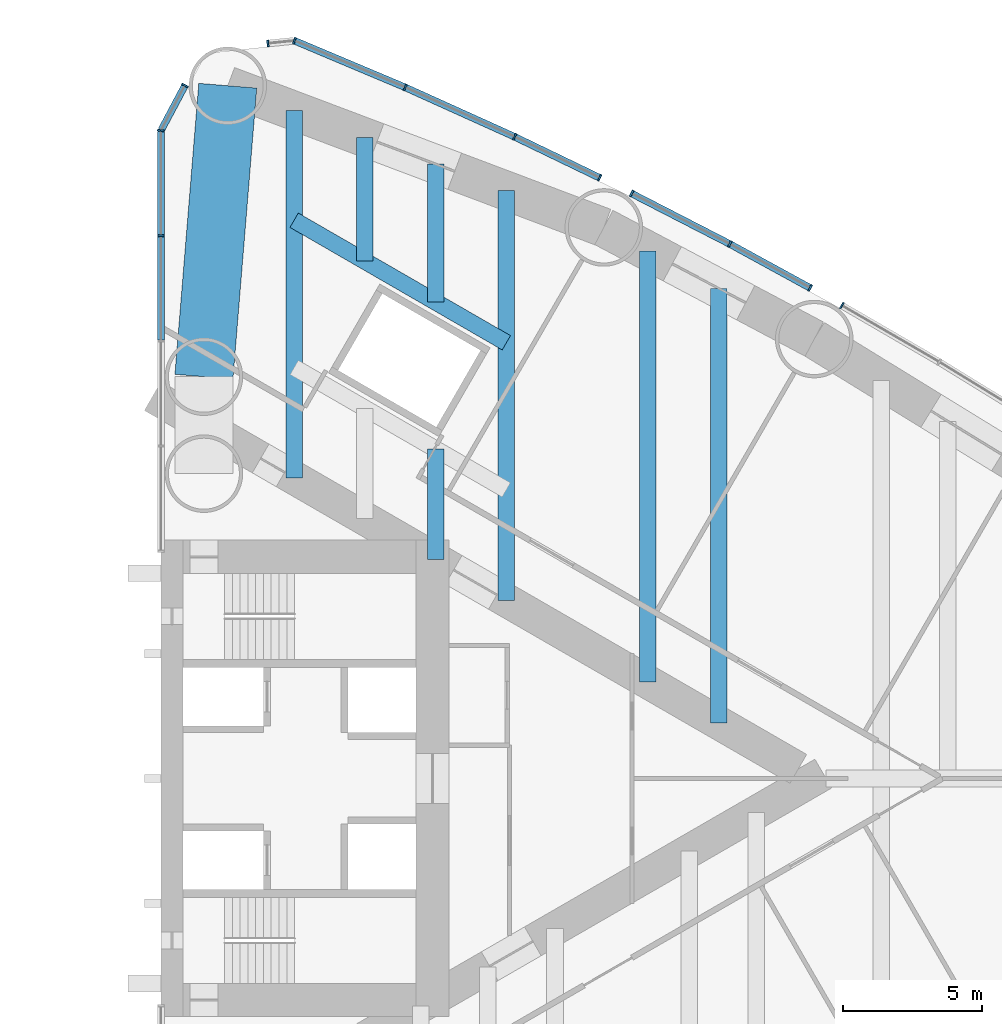
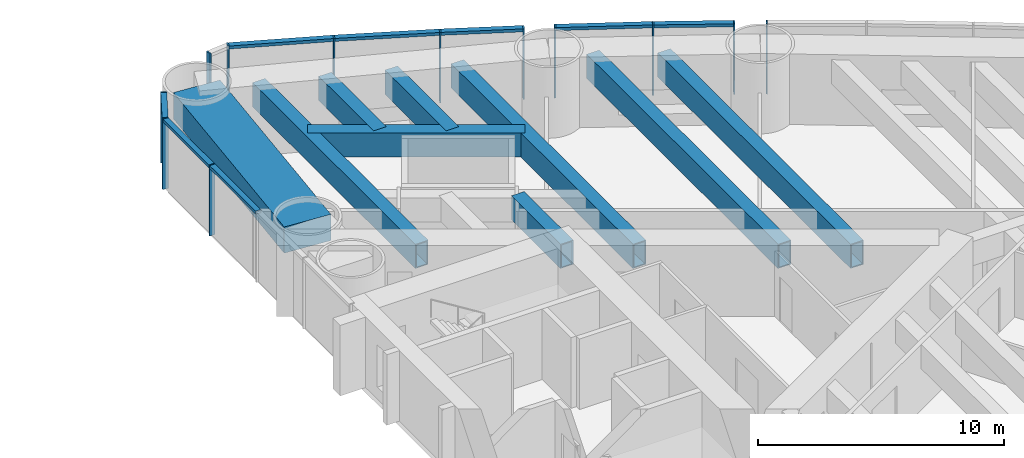
# One storey, part 7 of 20: 20 members, 9 beams, 4 elements without a shape of their own.
"""IFC4 building model written with IfcOpenShell, lengths in metres."""

from ifc_helpers import new_model, si_unit, direction, frame, origin, origin_2d, place, context, subcontext, project, spatial, rectangle, hollow_rectangle, extrude, material, material_profile, profile_set, type_object, element, aggregate, save


model = new_model("IFC4")

# Units and contexts
model_context = context("Model", 3, precision=1e-05, world=origin(), true_north=direction((0.0, 1.0)))
body_context = subcontext(model_context, "Body", "Model", "MODEL_VIEW")
ifc_project = project(units=[si_unit("LENGTHUNIT", "METRE"), si_unit("AREAUNIT", "SQUARE_METRE"), si_unit("VOLUMEUNIT", "CUBIC_METRE"), si_unit("PLANEANGLEUNIT", "RADIAN"), si_unit("MASSUNIT", "GRAM", prefix="KILO")], contexts=[model_context])

# Site, building, storey
site_placement = place(None, origin())
site = spatial("IfcSite", under=ifc_project, at=site_placement, CompositionType="ELEMENT")
building_placement = place(site_placement, origin())
building = spatial("IfcBuilding", under=site, at=building_placement, Name="Lancet Gate Hotel", CompositionType="ELEMENT")
storey_placement = place(building_placement, frame((0.0, 0.0, 77.5)))
storey = spatial("IfcBuildingStorey", under=building, at=storey_placement, Name="L20", CompositionType="ELEMENT", Elevation=77.5)

# Curtain wall, member
ifc_material_1 = material(Name="Aluminium curtain wall", Category="aluminium")
curtain_wall_type = type_object("IfcCurtainWallType", Name="Tower unitised curtain wall", PredefinedType="USERDEFINED", material=ifc_material_1)
curtain_wall_1_placement = place(storey_placement, origin())
curtain_wall_1 = element("IfcCurtainWall", 1, at=curtain_wall_1_placement, inside=storey, type_object=curtain_wall_type, Name="T2 L20 curtain wall 7", ObjectType="UNITISED CURTAIN WALL", PredefinedType="USERDEFINED")
ifc_material_2 = material(Name="Aluminium mullion", Category="aluminium")
ifc_material_profile_1 = material_profile(ifc_material_2, rectangle(XDim=0.06494140625, YDim=0.25, at=origin_2d()), Name="MULLION 65x250")
ifc_profile_set_1 = profile_set([ifc_material_profile_1], Name="Aluminium mullion")
member_type_1 = type_object("IfcMemberType", Name="Aluminium mullion 65x250", PredefinedType="MULLION", material=ifc_profile_set_1)
member_1_placement = place(storey_placement, frame((52.077392578125, 17.070068359375, 0.0), z_axis=(0.0, 0.0, 1.0), x_axis=(-0.864871773788, 0.501992843479, 0.0)))
member_1 = element("IfcMember", 2, at=member_1_placement, type_object=member_type_1, Name="T2 L20 curtain wall 7 mullion 4", PredefinedType="MULLION", context=body_context, shape_type="SweptSolid", body=[
    extrude(rectangle(XDim=0.06494140625, YDim=0.25, at=origin_2d()), origin(), (0.0, 0.0, 1.0), 3.5),
])
aggregate(curtain_wall_1, [member_1])

# Curtain wall, members
curtain_wall_2_placement = place(storey_placement, origin())
curtain_wall_2 = element("IfcCurtainWall", 3, at=curtain_wall_2_placement, inside=storey, type_object=curtain_wall_type, Name="T2 L20 curtain wall 8", ObjectType="UNITISED CURTAIN WALL", PredefinedType="USERDEFINED")
member_2_placement = place(storey_placement, frame((50.929931640625, 17.70556640625, 0.0), z_axis=(0.0, 0.0, 1.0), x_axis=(-0.877368015134, 0.47981805512, 0.0)))
member_2 = element("IfcMember", 4, at=member_2_placement, type_object=member_type_1, Name="T2 L20 curtain wall 8 mullion 1", PredefinedType="MULLION", context=body_context, shape_type="SweptSolid", body=[
    extrude(rectangle(XDim=0.06494140625, YDim=0.25, at=origin_2d()), origin(), (0.0, 0.0, 1.0), 3.5),
])
member_3_placement = place(storey_placement, frame((48.03271484375, 19.2900390625, 0.0), z_axis=(0.0, 0.0, 1.0), x_axis=(-0.883962982185, 0.467556890791, 0.0)))
member_3 = element("IfcMember", 5, at=member_3_placement, type_object=member_type_1, Name="T2 L20 curtain wall 8 mullion 2", PredefinedType="MULLION", context=body_context, shape_type="SweptSolid", body=[
    extrude(rectangle(XDim=0.06494140625, YDim=0.25, at=origin_2d()), origin(), (0.0, 0.0, 1.0), 3.5),
])
member_4_placement = place(storey_placement, frame((44.487548828125, 21.11328125, 0.0), z_axis=(0.0, 0.0, 1.0), x_axis=(-0.889295829671, 0.457332403541, 0.0)))
member_4 = element("IfcMember", 6, at=member_4_placement, type_object=member_type_1, Name="T2 L20 curtain wall 8 mullion 3", PredefinedType="MULLION", context=body_context, shape_type="SweptSolid", body=[
    extrude(rectangle(XDim=0.06494140625, YDim=0.25, at=origin_2d()), origin(), (0.0, 0.0, 1.0), 3.5),
])

curtain_wall_3_placement = place(storey_placement, origin())
curtain_wall_3 = element("IfcCurtainWall", 7, at=curtain_wall_3_placement, inside=storey, type_object=curtain_wall_type, Name="T2 L20 curtain wall 9", ObjectType="UNITISED CURTAIN WALL", PredefinedType="USERDEFINED")
member_5_placement = place(storey_placement, frame((43.33203125, 21.6806640625, 0.0), z_axis=(0.0, 0.0, 1.0), x_axis=(-0.90064748964, 0.434550456686, 0.0)))
member_5 = element("IfcMember", 8, at=member_5_placement, type_object=member_type_1, Name="T2 L20 curtain wall 9 mullion 1", PredefinedType="MULLION", context=body_context, shape_type="SweptSolid", body=[
    extrude(rectangle(XDim=0.06494140625, YDim=0.25, at=origin_2d()), origin(), (0.0, 0.0, 1.0), 3.5),
])
member_6_placement = place(storey_placement, frame((40.2685546875, 23.15869140625, 0.0), z_axis=(0.0, 0.0, 1.0), x_axis=(-0.906755286651, 0.421657266189, 0.0)))
member_6 = element("IfcMember", 9, at=member_6_placement, type_object=member_type_1, Name="T2 L20 curtain wall 9 mullion 2", PredefinedType="MULLION", context=body_context, shape_type="SweptSolid", body=[
    extrude(rectangle(XDim=0.06494140625, YDim=0.25, at=origin_2d()), origin(), (0.0, 0.0, 1.0), 3.5),
])
member_7_placement = place(storey_placement, frame((36.31494140625, 24.943603515625, 0.0), z_axis=(0.0, 0.0, 1.0), x_axis=(-0.916578705089, 0.399854320193, 0.0)))
member_7 = element("IfcMember", 10, at=member_7_placement, type_object=member_type_1, Name="T2 L20 curtain wall 9 mullion 3", PredefinedType="MULLION", context=body_context, shape_type="SweptSolid", body=[
    extrude(rectangle(XDim=0.06494140625, YDim=0.25, at=origin_2d()), origin(), (0.0, 0.0, 1.0), 3.5),
])
member_8_placement = place(storey_placement, frame((32.3173828125, 26.62744140625, 0.0), z_axis=(0.0, 0.0, 1.0), x_axis=(-0.952473373857, 0.304621850979, 0.0)))
member_8 = element("IfcMember", 11, at=member_8_placement, type_object=member_type_1, Name="T2 L20 curtain wall 9 mullion 4", PredefinedType="MULLION", context=body_context, shape_type="SweptSolid", body=[
    extrude(rectangle(XDim=0.06494140625, YDim=0.25, at=origin_2d()), origin(), (0.0, 0.0, 1.0), 3.5),
])
member_9_placement = place(storey_placement, frame((31.360595703125, 26.5283203125, 0.0), z_axis=(0.0, 0.0, 1.0), x_axis=(-0.994672262412, -0.10308778001, 0.0)))
member_9 = element("IfcMember", 12, at=member_9_placement, type_object=member_type_1, Name="T2 L20 curtain wall 9 mullion 5", PredefinedType="MULLION", context=body_context, shape_type="SweptSolid", body=[
    extrude(rectangle(XDim=0.06494140625, YDim=0.25, at=origin_2d()), origin(), (0.0, 0.0, 1.0), 3.5),
])

curtain_wall_4_placement = place(storey_placement, origin())
curtain_wall_4 = element("IfcCurtainWall", 13, at=curtain_wall_4_placement, inside=storey, type_object=curtain_wall_type, Name="T2 L20 curtain wall 10", ObjectType="UNITISED CURTAIN WALL", PredefinedType="USERDEFINED")
member_10_placement = place(storey_placement, frame((28.365234375, 25.010009765625, 0.0), z_axis=(0.0, 0.0, 1.0), x_axis=(-0.469897827284, -0.882720811987, 0.0)))
member_10 = element("IfcMember", 14, at=member_10_placement, type_object=member_type_1, Name="T2 L20 curtain wall 10 mullion 1", PredefinedType="MULLION", context=body_context, shape_type="SweptSolid", body=[
    extrude(rectangle(XDim=0.06494140625, YDim=0.25, at=origin_2d()), origin(), (0.0, 0.0, 1.0), 3.5),
])
member_11_placement = place(storey_placement, frame((27.5, 23.384765625, 0.0), z_axis=(0.0, 0.0, 1.0), x_axis=(-0.157592513508, -0.98750422768, 0.0)))
member_11 = element("IfcMember", 15, at=member_11_placement, type_object=member_type_1, Name="T2 L20 curtain wall 10 mullion 2", PredefinedType="MULLION", context=body_context, shape_type="SweptSolid", body=[
    extrude(rectangle(XDim=0.06494140625, YDim=0.25, at=origin_2d()), origin(), (0.0, 0.0, 1.0), 3.5),
])
member_12_placement = place(storey_placement, frame((27.5, 19.588623046875, 0.0), z_axis=(0.0, 0.0, 1.0), x_axis=(0.0, -1.0, 0.0)))
member_12 = element("IfcMember", 16, at=member_12_placement, type_object=member_type_1, Name="T2 L20 curtain wall 10 mullion 3", PredefinedType="MULLION", context=body_context, shape_type="SweptSolid", body=[
    extrude(rectangle(XDim=0.06494140625, YDim=0.25, at=origin_2d()), origin(), (0.0, 0.0, 1.0), 3.5),
])

# Member
ifc_material_3 = material(Name="Aluminium transom", Category="aluminium")
ifc_material_profile_2 = material_profile(ifc_material_3, rectangle(XDim=0.25, YDim=0.14990234375, at=origin_2d()), Name="TRANSOM 250x150")
ifc_profile_set_2 = profile_set([ifc_material_profile_2], Name="Aluminium transom")
member_type_2 = type_object("IfcMemberType", Name="Aluminium transom 250x150", PredefinedType="USERDEFINED", material=ifc_profile_set_2)
member_13_placement = place(storey_placement, frame((50.9013671875, 17.72119140625, 3.425048828125), z_axis=(-0.877364690262, 0.479824134742, 0.0), x_axis=(-0.479824134742, -0.877364690262, 0.0)))
member_13 = element("IfcMember", 17, at=member_13_placement, type_object=member_type_2, Name="T2 L20 curtain wall 8 transom 1", ObjectType="TRANSOM", PredefinedType="USERDEFINED", context=body_context, shape_type="SweptSolid", body=[
    extrude(rectangle(XDim=0.25, YDim=0.14990234375, at=origin_2d()), origin(), (0.0, 0.0, 1.0), 3.237060546875),
])

member_14_placement = place(storey_placement, frame((48.00390625, 19.304931640625, 3.425048828125), z_axis=(-0.889302270264, 0.457319879409, 0.0), x_axis=(-0.457319879409, -0.889302270264, 0.0)))
member_14 = element("IfcMember", 18, at=member_14_placement, type_object=member_type_2, Name="T2 L20 curtain wall 8 transom 2", ObjectType="TRANSOM", PredefinedType="USERDEFINED", context=body_context, shape_type="SweptSolid", body=[
    extrude(rectangle(XDim=0.25, YDim=0.14990234375, at=origin_2d()), origin(), (0.0, 0.0, 1.0), 3.921630859375),
])

aggregate(curtain_wall_2, [member_2, member_3, member_4, member_13, member_14])

member_15_placement = place(storey_placement, frame((43.302734375, 21.69482421875, 3.425048828125), z_axis=(-0.900660279687, 0.43452394709, 0.0), x_axis=(-0.43452394709, -0.900660279687, 0.0)))
member_15 = element("IfcMember", 19, at=member_15_placement, type_object=member_type_2, Name="T2 L20 curtain wall 9 transom 1", ObjectType="TRANSOM", PredefinedType="USERDEFINED", context=body_context, shape_type="SweptSolid", body=[
    extrude(rectangle(XDim=0.25, YDim=0.14990234375, at=origin_2d()), origin(), (0.0, 0.0, 1.0), 3.33642578125),
])

member_16_placement = place(storey_placement, frame((40.23876953125, 23.172119140625, 3.425048828125), z_axis=(-0.911396871737, 0.411528543589, 0.0), x_axis=(-0.411528543589, -0.911396871737, 0.0)))
member_16 = element("IfcMember", 20, at=member_16_placement, type_object=member_type_2, Name="T2 L20 curtain wall 9 transom 2", ObjectType="TRANSOM", PredefinedType="USERDEFINED", context=body_context, shape_type="SweptSolid", body=[
    extrude(rectangle(XDim=0.25, YDim=0.14990234375, at=origin_2d()), origin(), (0.0, 0.0, 1.0), 4.272705078125),
])

member_17_placement = place(storey_placement, frame((36.28515625, 24.956298828125, 3.425048828125), z_axis=(-0.92159772617, 0.388146404233, 0.0), x_axis=(-0.388146404233, -0.92159772617, 0.0)))
member_17 = element("IfcMember", 21, at=member_17_placement, type_object=member_type_2, Name="T2 L20 curtain wall 9 transom 3", ObjectType="TRANSOM", PredefinedType="USERDEFINED", context=body_context, shape_type="SweptSolid", body=[
    extrude(rectangle(XDim=0.25, YDim=0.14990234375, at=origin_2d()), origin(), (0.0, 0.0, 1.0), 4.272705078125),
])

aggregate(curtain_wall_3, [member_5, member_6, member_7, member_8, member_9, member_15, member_16, member_17])

member_18_placement = place(storey_placement, frame((28.349853515625, 24.9814453125, 3.425048828125), z_axis=(-0.469831805048, -0.882755954364, 0.0), x_axis=(0.882755954364, -0.469831805048, 0.0)))
member_18 = element("IfcMember", 22, at=member_18_placement, type_object=member_type_2, Name="T2 L20 curtain wall 10 transom 1", ObjectType="TRANSOM", PredefinedType="USERDEFINED", context=body_context, shape_type="SweptSolid", body=[
    extrude(rectangle(XDim=0.25, YDim=0.14990234375, at=origin_2d()), origin(), (0.0, 0.0, 1.0), 1.776123046875),
])

member_19_placement = place(storey_placement, frame((27.5, 23.352294921875, 3.425048828125), z_axis=(0.0, -1.0, 0.0), x_axis=(1.0, 0.0, 0.0)))
member_19 = element("IfcMember", 23, at=member_19_placement, type_object=member_type_2, Name="T2 L20 curtain wall 10 transom 2", ObjectType="TRANSOM", PredefinedType="USERDEFINED", context=body_context, shape_type="SweptSolid", body=[
    extrude(rectangle(XDim=0.25, YDim=0.14990234375, at=origin_2d()), origin(), (0.0, 0.0, 1.0), 3.731201171875),
])

member_20_placement = place(storey_placement, frame((27.5, 19.55615234375, 3.425048828125), z_axis=(0.0, -1.0, 0.0), x_axis=(1.0, 0.0, 0.0)))
member_20 = element("IfcMember", 24, at=member_20_placement, type_object=member_type_2, Name="T2 L20 curtain wall 10 transom 3", ObjectType="TRANSOM", PredefinedType="USERDEFINED", context=body_context, shape_type="SweptSolid", body=[
    extrude(rectangle(XDim=0.25, YDim=0.14990234375, at=origin_2d()), origin(), (0.0, 0.0, 1.0), 3.731201171875),
])

aggregate(curtain_wall_4, [member_10, member_11, member_12, member_18, member_19, member_20])

# Beams
ifc_material_4 = material(Name="Steel S460QL", Category="steel")
ifc_material_profile_3 = material_profile(ifc_material_4, hollow_rectangle(XDim=0.60009765625, YDim=1.199951171875, WallThickness=0.050048828125, at=origin_2d()), Name="BOX 1200x600x50")
ifc_profile_set_3 = profile_set([ifc_material_profile_3], Name="Steel S460QL")
beam_type_1 = type_object("IfcBeamType", Name="Refuge floor beam BOX 1200x600x50", PredefinedType="BEAM", material=ifc_profile_set_3)
beam_1_placement = place(storey_placement, frame((32.306396484375, 10.851806640625, 2.64990234375), z_axis=(0.0, 1.0, 0.0), x_axis=(-1.0, 0.0, 0.0)))
element("IfcBeam", 25, at=beam_1_placement, inside=storey, type_object=beam_type_1, Name="T2 floor beam F04N L20", PredefinedType="BEAM", context=body_context, shape_type="SweptSolid", body=[
    extrude(hollow_rectangle(XDim=0.60009765625, YDim=1.199951171875, WallThickness=0.050048828125, at=origin_2d()), origin(), (0.0, 0.0, 1.0), 13.247802734375),
])
beam_2_placement = place(storey_placement, frame((39.9658203125, 6.429443359375, 2.64990234375), z_axis=(0.0, 1.0, 0.0), x_axis=(-1.0, 0.0, 0.0)))
element("IfcBeam", 26, at=beam_2_placement, inside=storey, type_object=beam_type_1, Name="T2 floor beam F10N L20", PredefinedType="BEAM", context=body_context, shape_type="SweptSolid", body=[
    extrude(hollow_rectangle(XDim=0.60009765625, YDim=1.199951171875, WallThickness=0.050048828125, at=origin_2d()), origin(), (0.0, 0.0, 1.0), 14.783203125),
])
beam_3_placement = place(storey_placement, frame((45.072265625, 3.4814453125, 2.64990234375), z_axis=(0.0, 1.0, 0.0), x_axis=(-1.0, 0.0, 0.0)))
element("IfcBeam", 27, at=beam_3_placement, inside=storey, type_object=beam_type_1, Name="T2 floor beam F12N L20", PredefinedType="BEAM", context=body_context, shape_type="SweptSolid", body=[
    extrude(hollow_rectangle(XDim=0.60009765625, YDim=1.199951171875, WallThickness=0.050048828125, at=origin_2d()), origin(), (0.0, 0.0, 1.0), 15.5625),
])
beam_4_placement = place(storey_placement, frame((47.62548828125, 2.00732421875, 2.64990234375), z_axis=(0.0, 1.0, 0.0), x_axis=(-1.0, 0.0, 0.0)))
element("IfcBeam", 28, at=beam_4_placement, inside=storey, type_object=beam_type_1, Name="T2 floor beam F14N L20", PredefinedType="BEAM", context=body_context, shape_type="SweptSolid", body=[
    extrude(hollow_rectangle(XDim=0.60009765625, YDim=1.199951171875, WallThickness=0.050048828125, at=origin_2d()), origin(), (0.0, 0.0, 1.0), 15.68212890625),
])
beam_5_placement = place(storey_placement, frame((34.859619140625, 18.67333984375, 2.64990234375), z_axis=(0.0, 1.0, 0.0), x_axis=(-1.0, 0.0, 0.0)))
element("IfcBeam", 29, at=beam_5_placement, inside=storey, type_object=beam_type_1, Name="T2 floor beam F06NB L20", PredefinedType="BEAM", context=body_context, shape_type="SweptSolid", body=[
    extrude(hollow_rectangle(XDim=0.60009765625, YDim=1.199951171875, WallThickness=0.050048828125, at=origin_2d()), origin(), (0.0, 0.0, 1.0), 4.4638671875),
])
beam_6_placement = place(storey_placement, frame((37.412841796875, 7.903564453125, 2.64990234375), z_axis=(0.0, 1.0, 0.0), x_axis=(-1.0, 0.0, 0.0)))
element("IfcBeam", 30, at=beam_6_placement, inside=storey, type_object=beam_type_1, Name="T2 floor beam F08NA L20", PredefinedType="BEAM", context=body_context, shape_type="SweptSolid", body=[
    extrude(hollow_rectangle(XDim=0.60009765625, YDim=1.199951171875, WallThickness=0.050048828125, at=origin_2d()), origin(), (0.0, 0.0, 1.0), 3.983642578125),
])
beam_7_placement = place(storey_placement, frame((37.412841796875, 17.198974609375, 2.64990234375), z_axis=(0.0, 1.0, 0.0), x_axis=(-1.0, 0.0, 0.0)))
element("IfcBeam", 31, at=beam_7_placement, inside=storey, type_object=beam_type_1, Name="T2 floor beam F08NB L20", PredefinedType="BEAM", context=body_context, shape_type="SweptSolid", body=[
    extrude(hollow_rectangle(XDim=0.60009765625, YDim=1.199951171875, WallThickness=0.050048828125, at=origin_2d()), origin(), (0.0, 0.0, 1.0), 4.975830078125),
])
ifc_material_5 = material(Name="Concrete C50/60", Category="concrete")
ifc_material_profile_4 = material_profile(ifc_material_5, rectangle(XDim=2.10009765625, YDim=1.300048828125, at=origin_2d()), Name="RC 2100x1300")
ifc_profile_set_4 = profile_set([ifc_material_profile_4], Name="Concrete C50/60")
beam_type_2 = type_object("IfcBeamType", Name="Tie ring beam RC 2100x1300", PredefinedType="SPANDREL", material=ifc_profile_set_4)
beam_8_placement = place(storey_placement, frame((29.050048828125, 14.5, 2.60009765625), z_axis=(0.081714744052, 0.996655758326, 0.0), x_axis=(-0.996655758326, 0.081714744052, 0.0)))
element("IfcBeam", 32, at=beam_8_placement, inside=storey, type_object=beam_type_2, Name="T2 tie ring beam RG2 L20", PredefinedType="SPANDREL", context=body_context, shape_type="SweptSolid", body=[
    extrude(rectangle(XDim=2.10009765625, YDim=1.300048828125, at=origin_2d()), origin(), (0.0, 0.0, 1.0), 10.53759765625),
])
ifc_material_6 = material(Name="Steel S460QL", Category="steel")
ifc_material_profile_5 = material_profile(ifc_material_6, hollow_rectangle(XDim=0.60009765625, YDim=1.199951171875, WallThickness=0.050048828125, at=origin_2d()), Name="BOX 1200x600x50")
ifc_profile_set_5 = profile_set([ifc_material_profile_5], Name="Steel S460QL")
beam_type_3 = type_object("IfcBeamType", Name="Trimmer beam BOX 1200x600x50", PredefinedType="BEAM", material=ifc_profile_set_5)
beam_9_placement = place(storey_placement, frame((32.306396484375, 20.147705078125, 2.64990234375), z_axis=(0.865968147191, -0.500099158219, 0.0), x_axis=(0.500099158219, 0.865968147191, 0.0)))
element("IfcBeam", 33, at=beam_9_placement, inside=storey, type_object=beam_type_3, Name="T2 trimmer beam TR03N L20", PredefinedType="BEAM", context=body_context, shape_type="SweptSolid", body=[
    extrude(hollow_rectangle(XDim=0.60009765625, YDim=1.199951171875, WallThickness=0.050048828125, at=origin_2d()), origin(), (0.0, 0.0, 1.0), 8.844970703125),
])

save(model, "model.ifc")
